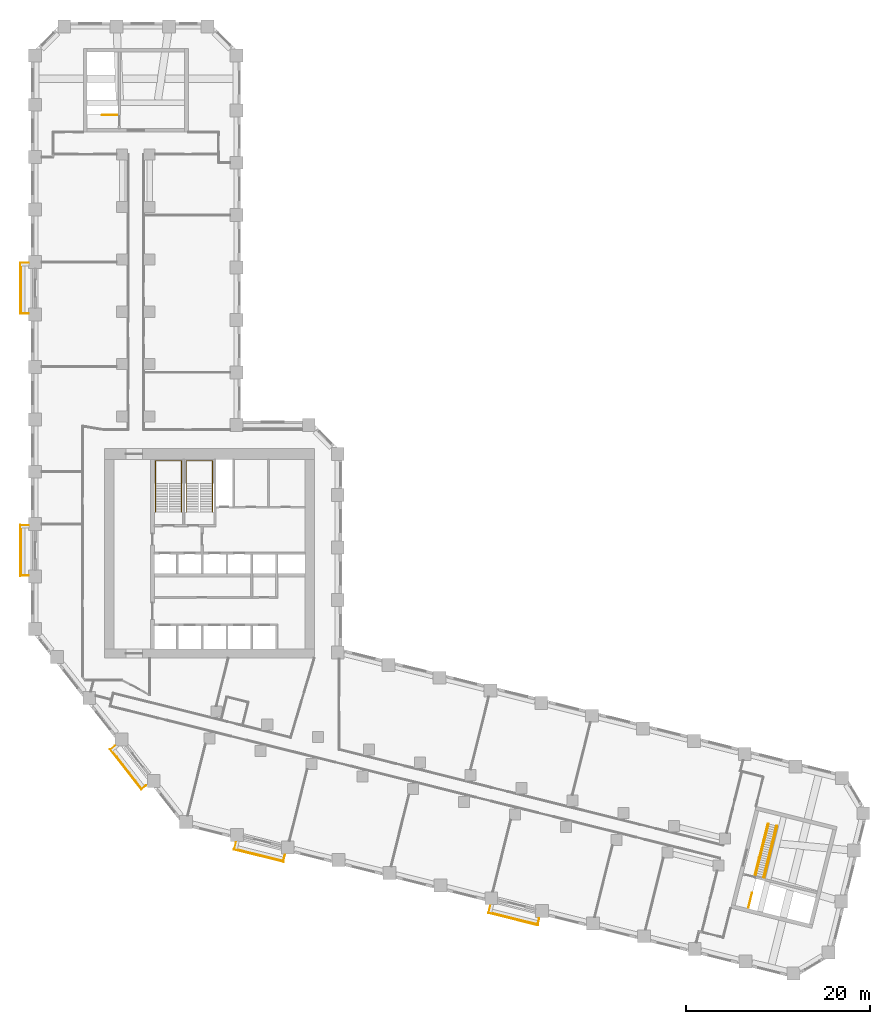
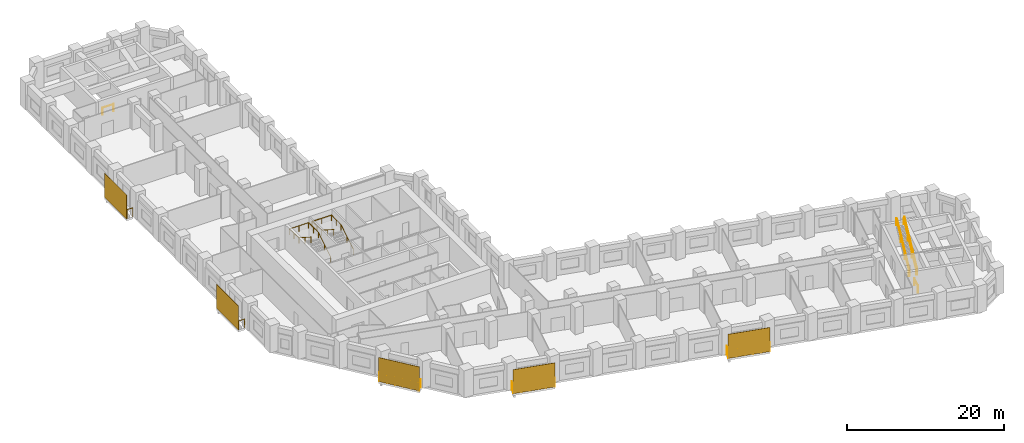
# One storey, part 12 of 12: 13 railings, 5 shading devices.
"""IFC4 building model written with IfcOpenShell, lengths in metres."""

import ifcopenshell
import ifcopenshell.guid

model = None  # the IFC model being written
_history = None  # IfcOwnerHistory: only IFC2X3 demands one
_inside = {}  # id of a spatial element -> (the spatial element, [elements in it])
_under = {}  # id of a project, library or spatial element -> (it, [spatial elements below it])
_declared = {}  # id of a project -> (the project, [libraries it declares])
_typed = {}  # id of a type object -> (the type object, [elements of that type])
_made_of = {}  # id of a material, layer set ... -> (it, [elements and type objects made of it])


def new_model(schema):
    """Start an empty IFC model of exactly this schema.

    Asked for "IFC4X3", IfcOpenShell would pick the latest addendum, in which some entities
    have other attributes; the version numbers below select the first issue.
    IFC2X3 requires an IfcOwnerHistory on every rooted entity: one is made here for all.
    """
    global model, _history
    if schema == "IFC4X3":
        model = ifcopenshell.file(schema_version=(4, 3, 0, 0))
    else:
        model = ifcopenshell.file(schema=schema)
    _inside.clear()
    _under.clear()
    _declared.clear()
    _typed.clear()
    _made_of.clear()
    _history = None
    if model.schema == "IFC2X3":
        org = make("IfcOrganization", Name="unknown")
        user = make(
            "IfcPersonAndOrganization",
            ThePerson=make("IfcPerson", FamilyName="unknown"),
            TheOrganization=org,
        )
        app = make(
            "IfcApplication",
            ApplicationDeveloper=org,
            Version="unknown",
            ApplicationFullName="unknown",
            ApplicationIdentifier="unknown",
        )
        _history = make(
            "IfcOwnerHistory",
            OwningUser=user,
            OwningApplication=app,
            ChangeAction="ADDED",
            CreationDate=0,
        )
    return model


def make(cls, **values):
    """One entity of the class cls with the attributes given. An attribute that is None is left unset."""
    return model.create_entity(
        cls, **{name: value for name, value in values.items() if value is not None}
    )


def rooted(cls, **values):
    """An entity with a GlobalId (a new one), such as an element, a storey or a relation."""
    return make(cls, GlobalId=ifcopenshell.guid.new(), OwnerHistory=_history, **values)


def si_unit(unit_type, name, prefix=None):
    """IfcSIUnit, for example si_unit("LENGTHUNIT", "METRE", prefix="MILLI")."""
    return make("IfcSIUnit", UnitType=unit_type, Prefix=prefix, Name=name)


def assignment(units):
    """IfcUnitAssignment: the units of a project."""
    return None if units is None else make("IfcUnitAssignment", Units=units)


def point(xyz):
    """IfcCartesianPoint."""
    return None if xyz is None else make("IfcCartesianPoint", Coordinates=xyz)


def direction(xyz):
    """IfcDirection."""
    return None if xyz is None else make("IfcDirection", DirectionRatios=xyz)


def frame(location, z_axis=None, x_axis=None):
    """IfcAxis2Placement3D, a coordinate frame: its origin and axes. An axis left out is left unset."""
    return make(
        "IfcAxis2Placement3D",
        Location=point(location),
        Axis=direction(z_axis),
        RefDirection=direction(x_axis),
    )


def frame_2d(location, x_axis=None):
    """IfcAxis2Placement2D, a coordinate frame in the plane: its origin and x axis."""
    return make(
        "IfcAxis2Placement2D", Location=point(location), RefDirection=direction(x_axis)
    )


def origin():
    """The frame at (0, 0, 0) with its axes left unset."""
    return frame((0.0, 0.0, 0.0))


def origin_2d():
    """The frame at (0, 0) in the plane with its x axis left unset."""
    return frame_2d((0.0, 0.0))


def place(relative_to, where):
    """IfcLocalPlacement: puts the frame where relative to a parent placement (None: the world)."""
    return make(
        "IfcLocalPlacement", PlacementRelTo=relative_to, RelativePlacement=where
    )


def context(
    kind, dimensions, precision=None, world=None, true_north=None, identifier=None
):
    """IfcGeometricRepresentationContext, for example the 3D "Model" context."""
    return make(
        "IfcGeometricRepresentationContext",
        ContextIdentifier=identifier,
        ContextType=kind,
        CoordinateSpaceDimension=dimensions,
        Precision=precision,
        WorldCoordinateSystem=world,
        TrueNorth=true_north,
    )


def subcontext(parent, identifier, kind, view, scale=None):
    """IfcGeometricRepresentationSubContext, for example "Body" below "Model"."""
    return make(
        "IfcGeometricRepresentationSubContext",
        ContextIdentifier=identifier,
        ContextType=kind,
        ParentContext=parent,
        TargetScale=scale,
        TargetView=view,
    )


def project(units=None, contexts=None):
    """IfcProject with its units and contexts."""
    return rooted(
        "IfcProject",
        Name="project",
        RepresentationContexts=contexts,
        UnitsInContext=assignment(units),
    )


def spatial(cls, under=None, at=None, **own):
    """A site, building, storey or space (cls), placed at a placement, below another one or the project."""
    s = rooted(cls, ObjectPlacement=at, **own)
    if under is not None:
        _under.setdefault(under.id(), (under, []))[1].append(s)
    return s


def profile(cls, at=None, kind="AREA", **sizes):
    """A parametric profile (cls). Its sizes go by their IFC names, for example OverallWidth=200.0."""
    return make(cls, ProfileType=kind, Position=at, **sizes)


def rectangle(**sizes):
    """IfcRectangleProfileDef."""
    return profile("IfcRectangleProfileDef", **sizes)


def circle(**sizes):
    """IfcCircleProfileDef."""
    return profile("IfcCircleProfileDef", **sizes)


def extrude(swept, where, along, depth):
    """IfcExtrudedAreaSolid: the profile swept, set in the frame where, extruded along a direction by depth."""
    return make(
        "IfcExtrudedAreaSolid",
        SweptArea=swept,
        Position=where,
        ExtrudedDirection=direction(along),
        Depth=depth,
    )


def shape(context_of_items, identifier, shape_type, items):
    """IfcShapeRepresentation: the items that make up one representation, for example the "Body"."""
    return make(
        "IfcShapeRepresentation",
        ContextOfItems=context_of_items,
        RepresentationIdentifier=identifier,
        RepresentationType=shape_type,
        Items=items,
    )


def material(Name=None, Category=None):
    """IfcMaterial."""
    return make("IfcMaterial", Name=Name, Category=Category)


def layer(
    of_material, thickness, ventilated=None, Name=None, Category=None, Priority=None
):
    """IfcMaterialLayer: one layer of a wall or slab, of a material (None: an air gap)."""
    return make(
        "IfcMaterialLayer",
        Material=of_material,
        LayerThickness=thickness,
        IsVentilated=ventilated,
        Name=Name,
        Category=Category,
        Priority=Priority,
    )


def layer_set(layers, Name=None):
    """IfcMaterialLayerSet."""
    return make("IfcMaterialLayerSet", MaterialLayers=layers, LayerSetName=Name)


def made_of(thing, what):
    """Note that an element or type object is made of a material, layer set ...; save() writes the relation."""
    if what is not None:
        _made_of.setdefault(what.id(), (what, []))[1].append(thing)
    return thing


def type_object(cls, material=None, **own):
    """A type object (cls), such as IfcWallType, which elements share."""
    return made_of(rooted(cls, **own), material)


def element(
    cls,
    number,
    at=None,
    inside=None,
    cuts=None,
    type_object=None,
    material=None,
    context=None,
    identifier="Body",
    shape_type=None,
    held_by="IfcProductDefinitionShape",
    body=None,
    shapes=None,
    **own,
):
    """One element of the class cls, such as IfcWall. Its Tag is "e" and its number.

    at: its placement. inside: the storey or other place that contains it. cuts: it is an
    opening in that element (IfcRelVoidsElement). A single representation is given by context,
    identifier, shape_type and body (its items); several are given by shapes. held_by: the class
    of the entity that holds the representations. save() writes the other relations.
    """
    e = rooted(cls, Tag="e%d" % number, ObjectPlacement=at, **own)
    if body is not None:
        shapes = [shape(context, identifier, shape_type, body)]
    if shapes is not None:
        e.Representation = make(held_by, Representations=shapes)
    if inside is not None:
        _inside.setdefault(inside.id(), (inside, []))[1].append(e)
    if cuts is not None:
        rooted(
            "IfcRelVoidsElement", RelatingBuildingElement=cuts, RelatedOpeningElement=e
        )
    if type_object is not None:
        _typed.setdefault(type_object.id(), (type_object, []))[1].append(e)
    return made_of(e, material)


def aggregate(whole, parts):
    """IfcRelAggregates: a whole, such as a stair, and the parts it consists of."""
    return rooted("IfcRelAggregates", RelatingObject=whole, RelatedObjects=parts)


def save(model, path):
    """Write the relations noted so far, then the file.

    IfcRelAggregates (storeys below a building ...), IfcRelContainedInSpatialStructure (elements
    in a storey), IfcRelDefinesByType, IfcRelAssociatesMaterial and IfcRelDeclares: one each for
    every whole, place, type object, material and project.
    """
    for whole, parts in _under.values():
        aggregate(whole, parts)
    for where, things in _inside.values():
        rooted(
            "IfcRelContainedInSpatialStructure",
            RelatedElements=things,
            RelatingStructure=where,
        )
    for kind, things in _typed.values():
        rooted("IfcRelDefinesByType", RelatedObjects=things, RelatingType=kind)
    for what, things in _made_of.values():
        rooted("IfcRelAssociatesMaterial", RelatedObjects=things, RelatingMaterial=what)
    for by, libraries in _declared.values():
        rooted("IfcRelDeclares", RelatingContext=by, RelatedDefinitions=libraries)
    model.write(path)


model = new_model("IFC4")

# Units and contexts
model_context = context("Model", 3, precision=1e-05, world=origin(), true_north=direction((0.0, 1.0)))
body_context = subcontext(model_context, "Body", "Model", "MODEL_VIEW")
ifc_project = project(units=[si_unit("LENGTHUNIT", "METRE"), si_unit("AREAUNIT", "SQUARE_METRE"), si_unit("VOLUMEUNIT", "CUBIC_METRE"), si_unit("PLANEANGLEUNIT", "RADIAN"), si_unit("MASSUNIT", "GRAM", prefix="KILO")], contexts=[model_context])

# Site, building, storey
site_placement = place(None, origin())
site = spatial("IfcSite", under=ifc_project, at=site_placement, CompositionType="ELEMENT")
building_placement = place(site_placement, origin())
building = spatial("IfcBuilding", under=site, at=building_placement, Name="Meshkara Civic Tower", CompositionType="ELEMENT")
storey_placement = place(building_placement, frame((0.0, 0.0, 87.60009765625)))
storey = spatial("IfcBuildingStorey", under=building, at=storey_placement, Name="L19", CompositionType="ELEMENT", Elevation=87.60009765625)

# Railings
ifc_material_1 = material(Name="Steel S355", Category="steel")
railing_type_1 = type_object("IfcRailingType", Name="BALUSTRADE GUARD 1400", PredefinedType="BALUSTRADE", material=ifc_material_1)
for number, where, name in (
    (1, (-0.25, 57.034912109375, 0.0), "Balcony guard"),
    (2, (-0.25, 28.534912109375, 0.0), "Balcony guard"),
):
    element("IfcRailing", number, at=place(storey_placement, frame(where)), inside=storey, type_object=railing_type_1, Name=name, PredefinedType="BALUSTRADE", context=body_context, shape_type="SweptSolid", body=[
        extrude(circle(Radius=0.02392578125, at=origin_2d()), frame((0.0, 0.0, 1.3759765625), z_axis=(-1.0, 0.0, 0.0), x_axis=(0.0, -1.0, 0.0)), (0.0, 0.0, 1.0), 0.860107421875),
        extrude(circle(Radius=0.02392578125, at=origin_2d()), frame((-0.860107421875, 0.0, 1.3759765625), z_axis=(0.0, -1.0, 0.0), x_axis=(1.0, 0.0, 0.0)), (0.0, 0.0, 1.0), 5.4599609375),
        extrude(circle(Radius=0.02392578125, at=origin_2d()), frame((-0.860107421875, -5.4599609375, 1.3759765625), z_axis=(1.0, 0.0, 0.0), x_axis=(0.0, 1.0, 0.0)), (0.0, 0.0, 1.0), 0.860107421875),
        extrude(circle(Radius=0.02099609375, at=origin_2d()), origin(), (0.0, 0.0, 1.0), 1.351806640625),
        extrude(circle(Radius=0.02099609375, at=origin_2d()), frame((-0.860107421875, 0.0, 0.0)), (0.0, 0.0, 1.0), 1.351806640625),
        extrude(circle(Radius=0.02099609375, at=origin_2d()), frame((-0.860107421875, -1.092041015625, 0.0)), (0.0, 0.0, 1.0), 1.351806640625),
        extrude(circle(Radius=0.02099609375, at=origin_2d()), frame((-0.860107421875, -2.18408203125, 0.0)), (0.0, 0.0, 1.0), 1.351806640625),
        extrude(circle(Radius=0.02099609375, at=origin_2d()), frame((-0.860107421875, -3.27587890625, 0.0)), (0.0, 0.0, 1.0), 1.351806640625),
        extrude(circle(Radius=0.02099609375, at=origin_2d()), frame((-0.860107421875, -4.367919921875, 0.0)), (0.0, 0.0, 1.0), 1.351806640625),
        extrude(circle(Radius=0.02099609375, at=origin_2d()), frame((-0.860107421875, -5.4599609375, 0.0)), (0.0, 0.0, 1.0), 1.351806640625),
        extrude(circle(Radius=0.02099609375, at=origin_2d()), frame((0.0, -5.4599609375, 0.0)), (0.0, 0.0, 1.0), 1.351806640625),
    ])
railing_1_placement = place(storey_placement, frame((9.133056640625, 4.5458984375, 0.0)))
element("IfcRailing", 3, at=railing_1_placement, inside=storey, type_object=railing_type_1, Name="Balcony guard", PredefinedType="BALUSTRADE", context=body_context, shape_type="SweptSolid", body=[
    extrude(circle(Radius=0.02392578125, at=origin_2d()), frame((0.0, 0.0, 1.3759765625), z_axis=(-0.787665480528, -0.616103149469, 0.0), x_axis=(0.616103149469, -0.787665480528, 0.0)), (0.0, 0.0, 1.0), 0.57763671875),
    extrude(circle(Radius=0.02392578125, at=origin_2d()), frame((-0.455078125, -0.35595703125, 1.3759765625), z_axis=(0.615660530481, -0.788011491799, 0.0), x_axis=(0.788011491799, 0.615660530481, 0.0)), (0.0, 0.0, 1.0), 5.459228515625),
    extrude(circle(Radius=0.02392578125, at=origin_2d()), frame((2.906005859375, -4.657958984375, 1.3759765625), z_axis=(0.787505001008, 0.616308261658, 0.0), x_axis=(-0.616308261658, 0.787505001008, 0.0)), (0.0, 0.0, 1.0), 0.57763671875),
    extrude(circle(Radius=0.02099609375, at=origin_2d()), origin(), (0.0, 0.0, 1.0), 1.351806640625),
    extrude(circle(Radius=0.02099609375, at=origin_2d()), frame((-0.455078125, -0.35595703125, 0.0)), (0.0, 0.0, 1.0), 1.351806640625),
    extrude(circle(Radius=0.02099609375, at=origin_2d()), frame((0.217041015625, -1.21630859375, 0.0)), (0.0, 0.0, 1.0), 1.351806640625),
    extrude(circle(Radius=0.02099609375, at=origin_2d()), frame((0.889404296875, -2.07666015625, 0.0)), (0.0, 0.0, 1.0), 1.351806640625),
    extrude(circle(Radius=0.02099609375, at=origin_2d()), frame((1.5615234375, -2.937255859375, 0.0)), (0.0, 0.0, 1.0), 1.351806640625),
    extrude(circle(Radius=0.02099609375, at=origin_2d()), frame((2.23388671875, -3.797607421875, 0.0)), (0.0, 0.0, 1.0), 1.351806640625),
    extrude(circle(Radius=0.02099609375, at=origin_2d()), frame((2.906005859375, -4.657958984375, 0.0)), (0.0, 0.0, 1.0), 1.351806640625),
    extrude(circle(Radius=0.02099609375, at=origin_2d()), frame((3.36083984375, -4.302001953125, 0.0)), (0.0, 0.0, 1.0), 1.351806640625),
])
railing_2_placement = place(storey_placement, frame((22.29296875, -5.968994140625, 0.0)))
element("IfcRailing", 4, at=railing_2_placement, inside=storey, type_object=railing_type_1, Name="Balcony guard", PredefinedType="BALUSTRADE", context=body_context, shape_type="SweptSolid", body=[
    extrude(circle(Radius=0.02392578125, at=origin_2d()), frame((0.0, 0.0, 1.3759765625), z_axis=(-0.241405887632, -0.970424235794, 0.0), x_axis=(0.970424235794, -0.241405887632, 0.0)), (0.0, 0.0, 1.0), 0.7119140625),
    extrude(circle(Radius=0.02392578125, at=origin_2d()), frame((-0.171875, -0.69091796875, 1.3759765625), z_axis=(0.970321130255, -0.241819983006, 0.0), x_axis=(0.241819983006, 0.970321130255, 0.0)), (0.0, 0.0, 1.0), 5.458984375),
    extrude(circle(Radius=0.02392578125, at=origin_2d()), frame((5.125, -2.010986328125, 1.3759765625), z_axis=(0.242050887106, 0.970263555974, 0.0), x_axis=(-0.970263555974, 0.242050887106, 0.0)), (0.0, 0.0, 1.0), 0.711181640625),
    extrude(circle(Radius=0.02099609375, at=origin_2d()), origin(), (0.0, 0.0, 1.0), 1.351806640625),
    extrude(circle(Radius=0.02099609375, at=origin_2d()), frame((-0.171875, -0.69091796875, 0.0)), (0.0, 0.0, 1.0), 1.351806640625),
    extrude(circle(Radius=0.02099609375, at=origin_2d()), frame((0.887451171875, -0.954833984375, 0.0)), (0.0, 0.0, 1.0), 1.351806640625),
    extrude(circle(Radius=0.02099609375, at=origin_2d()), frame((1.94677734375, -1.218994140625, 0.0)), (0.0, 0.0, 1.0), 1.351806640625),
    extrude(circle(Radius=0.02099609375, at=origin_2d()), frame((3.00634765625, -1.48291015625, 0.0)), (0.0, 0.0, 1.0), 1.351806640625),
    extrude(circle(Radius=0.02099609375, at=origin_2d()), frame((4.065673828125, -1.7470703125, 0.0)), (0.0, 0.0, 1.0), 1.351806640625),
    extrude(circle(Radius=0.02099609375, at=origin_2d()), frame((5.125, -2.010986328125, 0.0)), (0.0, 0.0, 1.0), 1.351806640625),
    extrude(circle(Radius=0.02099609375, at=origin_2d()), frame((5.297119140625, -1.321044921875, 0.0)), (0.0, 0.0, 1.0), 1.351806640625),
])
railing_3_placement = place(storey_placement, frame((49.946044921875, -12.864013671875, 0.0)))
element("IfcRailing", 5, at=railing_3_placement, inside=storey, type_object=railing_type_1, Name="Balcony guard", PredefinedType="BALUSTRADE", context=body_context, shape_type="SweptSolid", body=[
    extrude(circle(Radius=0.02392578125, at=origin_2d()), frame((0.0, 0.0, 1.3759765625), z_axis=(-0.242050887106, -0.970263555974, 0.0), x_axis=(0.970263555974, -0.242050887106, 0.0)), (0.0, 0.0, 1.0), 0.711181640625),
    extrude(circle(Radius=0.02392578125, at=origin_2d()), frame((-0.172119140625, -0.68994140625, 1.3759765625), z_axis=(0.970292231073, -0.24193591366, 0.0), x_axis=(0.24193591366, 0.970292231073, 0.0)), (0.0, 0.0, 1.0), 5.460205078125),
    extrude(circle(Radius=0.02392578125, at=origin_2d()), frame((5.1259765625, -2.010986328125, 1.3759765625), z_axis=(0.24172762774, 0.970344142038, 0.0), x_axis=(-0.970344142038, 0.24172762774, 0.0)), (0.0, 0.0, 1.0), 0.7109375),
    extrude(circle(Radius=0.02099609375, at=origin_2d()), origin(), (0.0, 0.0, 1.0), 1.351806640625),
    extrude(circle(Radius=0.02099609375, at=origin_2d()), frame((-0.172119140625, -0.68994140625, 0.0)), (0.0, 0.0, 1.0), 1.351806640625),
    extrude(circle(Radius=0.02099609375, at=origin_2d()), frame((0.887451171875, -0.9541015625, 0.0)), (0.0, 0.0, 1.0), 1.351806640625),
    extrude(circle(Radius=0.02099609375, at=origin_2d()), frame((1.947021484375, -1.21826171875, 0.0)), (0.0, 0.0, 1.0), 1.351806640625),
    extrude(circle(Radius=0.02099609375, at=origin_2d()), frame((3.0068359375, -1.482666015625, 0.0)), (0.0, 0.0, 1.0), 1.351806640625),
    extrude(circle(Radius=0.02099609375, at=origin_2d()), frame((4.06640625, -1.746826171875, 0.0)), (0.0, 0.0, 1.0), 1.351806640625),
    extrude(circle(Radius=0.02099609375, at=origin_2d()), frame((5.1259765625, -2.010986328125, 0.0)), (0.0, 0.0, 1.0), 1.351806640625),
    extrude(circle(Radius=0.02099609375, at=origin_2d()), frame((5.2978515625, -1.321044921875, 0.0)), (0.0, 0.0, 1.0), 1.351806640625),
])

# Shading devices
ifc_material_2 = material(Name="Perforated bronze anodised aluminium sheet", Category="aluminium")
ifc_layer = layer(ifc_material_2, 0.0400390625)
ifc_layer_set = layer_set([ifc_layer], Name="PERFORATED BRONZE SCREEN")
shading_device_type = type_object("IfcShadingDeviceType", Name="PERFORATED BRONZE SCREEN", PredefinedType="USERDEFINED", material=ifc_layer_set)
for number, where, z_axis, x_axis, name in (
    (6, (-1.179931640625, 54.304931640625, 0.0), (0.0, 0.0, 1.0), (0.0, -1.0, 0.0), "Balcony screen"),
    (7, (-1.179931640625, 25.804931640625, 0.0), (0.0, 0.0, 1.0), (0.0, -1.0, 0.0), "Balcony screen"),
):
    element("IfcShadingDevice", number, at=place(storey_placement, frame(where, z_axis=z_axis, x_axis=x_axis)), inside=storey, type_object=shading_device_type, Name=name, ObjectType="SCREEN", PredefinedType="USERDEFINED", context=body_context, shape_type="SweptSolid", body=[
        extrude(rectangle(XDim=5.580078125, YDim=0.0400390625, at=origin_2d()), origin(), (0.0, 0.0, 1.0), 3.75),
    ])
for number, where, z_axis, x_axis, name in (
    (8, (10.302978515625, 1.99609375, 0.0), (0.0, 0.0, 1.0), (0.615661475326, -0.788010753607, 0.0), "Balcony screen"),
    (9, (24.7529296875, -7.387939453125, 0.0), (0.0, 0.0, 1.0), (0.970295726276, -0.2419218956, 0.0), "Balcony screen"),
):
    element("IfcShadingDevice", number, at=place(storey_placement, frame(where, z_axis=z_axis, x_axis=x_axis)), inside=storey, type_object=shading_device_type, Name=name, ObjectType="SCREEN", PredefinedType="USERDEFINED", context=body_context, shape_type="SweptSolid", body=[
        extrude(rectangle(XDim=5.5791015625, YDim=0.0400390625, at=origin_2d()), origin(), (0.0, 0.0, 1.0), 3.75),
    ])
shading_device_placement = place(storey_placement, frame((52.406005859375, -14.281982421875, 0.0), z_axis=(0.0, 0.0, 1.0), x_axis=(0.970295726276, -0.2419218956, 0.0)))
element("IfcShadingDevice", 10, at=shading_device_placement, inside=storey, type_object=shading_device_type, Name="Balcony screen", ObjectType="SCREEN", PredefinedType="USERDEFINED", context=body_context, shape_type="SweptSolid", body=[
    extrude(rectangle(XDim=5.580078125, YDim=0.0400390625, at=origin_2d()), origin(), (0.0, 0.0, 1.0), 3.75),
])

# Railings
ifc_material_3 = material(Name="Steel guard", Category="steel")
railing_type_2 = type_object("IfcRailingType", Name="Stair guard 1100", PredefinedType="GUARDRAIL", material=ifc_material_3)
railing_4_placement = place(storey_placement, frame((9.375, 73.1201171875, 0.0)))
element("IfcRailing", 11, at=railing_4_placement, inside=storey, type_object=railing_type_2, Name="L19 ESA1 top well guard 1", PredefinedType="GUARDRAIL", context=body_context, shape_type="SweptSolid", body=[
    extrude(circle(Radius=0.02392578125, at=origin_2d()), frame((0.0, 0.0, 1.076171875), z_axis=(-1.0, 0.0, 0.0), x_axis=(0.0, -1.0, 0.0)), (0.0, 0.0, 1.0), 1.64990234375),
    extrude(circle(Radius=0.02099609375, at=origin_2d()), origin(), (0.0, 0.0, 1.0), 1.052001953125),
    extrude(circle(Radius=0.02099609375, at=origin_2d()), frame((-1.64990234375, 0.0, 0.0)), (0.0, 0.0, 1.0), 1.052001953125),
])
railing_5_placement = place(storey_placement, frame((77.984619140625, -13.028076171875, 0.0)))
element("IfcRailing", 12, at=railing_5_placement, inside=storey, type_object=railing_type_2, Name="L19 ESB1 top well guard 1", PredefinedType="GUARDRAIL", context=body_context, shape_type="SweptSolid", body=[
    extrude(circle(Radius=0.02392578125, at=origin_2d()), frame((0.0, 0.0, 1.076171875), z_axis=(0.242082976937, 0.970255549985, 0.0), x_axis=(-0.970255549985, 0.242082976937, 0.0)), (0.0, 0.0, 1.0), 1.64990234375),
    extrude(circle(Radius=0.02099609375, at=origin_2d()), origin(), (0.0, 0.0, 1.0), 1.052001953125),
    extrude(circle(Radius=0.02099609375, at=origin_2d()), frame((0.3994140625, 1.600830078125, 0.0)), (0.0, 0.0, 1.0), 1.052001953125),
])
railing_6_placement = place(storey_placement, frame((78.701904296875, -9.491943359375, 0.1748046875)))
element("IfcRailing", 13, at=railing_6_placement, inside=storey, type_object=railing_type_2, Name="L19 ESBT stair guard 3", PredefinedType="GUARDRAIL", context=body_context, shape_type="SweptSolid", body=[
    extrude(circle(Radius=0.02392578125, at=origin_2d()), frame((0.0, 0.0, 1.076171875), z_axis=(0.198182085776, 0.794919545526, 0.573434195891), x_axis=(-0.970299627736, 0.24190624716, 0.0)), (0.0, 0.0, 1.0), 7.019287109375),
    extrude(circle(Radius=0.02099609375, at=origin_2d()), origin(), (0.0, 0.0, 1.0), 1.052001953125),
    extrude(circle(Radius=0.02099609375, at=origin_2d()), frame((0.463623046875, 1.85986328125, 1.341796875)), (0.0, 0.0, 1.0), 1.052001953125),
    extrude(circle(Radius=0.02099609375, at=origin_2d()), frame((0.927490234375, 3.719970703125, 2.683349609375)), (0.0, 0.0, 1.0), 1.052001953125),
    extrude(circle(Radius=0.02099609375, at=origin_2d()), frame((1.39111328125, 5.579833984375, 4.025146484375)), (0.0, 0.0, 1.0), 1.052001953125),
])
railing_7_placement = place(storey_placement, frame((79.72998046875, -9.748046875, 0.1748046875)))
element("IfcRailing", 14, at=railing_7_placement, inside=storey, type_object=railing_type_2, Name="L19 ESBT stair guard 4", PredefinedType="GUARDRAIL", context=body_context, shape_type="SweptSolid", body=[
    extrude(circle(Radius=0.02392578125, at=origin_2d()), frame((0.0, 0.0, 1.076171875), z_axis=(0.19819852481, 0.794881131795, 0.573481761767), x_axis=(-0.970292173201, 0.24193614576, 0.0)), (0.0, 0.0, 1.0), 7.018798828125),
    extrude(circle(Radius=0.02099609375, at=origin_2d()), origin(), (0.0, 0.0, 1.0), 1.052001953125),
    extrude(circle(Radius=0.02099609375, at=origin_2d()), frame((0.463623046875, 1.859619140625, 1.341796875)), (0.0, 0.0, 1.0), 1.052001953125),
    extrude(circle(Radius=0.02099609375, at=origin_2d()), frame((0.927490234375, 3.719482421875, 2.683349609375)), (0.0, 0.0, 1.0), 1.052001953125),
    extrude(circle(Radius=0.02099609375, at=origin_2d()), frame((1.39111328125, 5.5791015625, 4.025146484375)), (0.0, 0.0, 1.0), 1.052001953125),
])
ifc_material_4 = material(Name="Steel handrail", Category="steel")
railing_type_3 = type_object("IfcRailingType", Name="Stair handrail 900", PredefinedType="HANDRAIL", material=ifc_material_4)
railing_8_placement = place(storey_placement, frame((16.375, 30.0, 0.1748046875)))
element("IfcRailing", 15, at=railing_8_placement, inside=storey, type_object=railing_type_3, Name="L19 ST1 stair handrail 1", PredefinedType="HANDRAIL", context=body_context, shape_type="SweptSolid", body=[
    extrude(circle(Radius=0.02392578125, at=origin_2d()), frame((0.0, 0.0, 0.8759765625), z_axis=(0.0, 0.847998304005, 0.529998940003), x_axis=(-1.0, 0.0, 0.0)), (0.0, 0.0, 1.0), 3.632080078125),
    extrude(circle(Radius=0.02392578125, at=origin_2d()), frame((0.0, 3.080078125, 2.80078125), z_axis=(0.0, 1.0, 0.0), x_axis=(-1.0, 0.0, 0.0)), (0.0, 0.0, 1.0), 2.469970703125),
    extrude(circle(Radius=0.02392578125, at=origin_2d()), frame((0.0, 5.550048828125, 2.80078125), z_axis=(-1.0, 0.0, 0.0), x_axis=(0.0, -1.0, 0.0)), (0.0, 0.0, 1.0), 2.85009765625),
    extrude(circle(Radius=0.02392578125, at=origin_2d()), frame((-2.85009765625, 5.550048828125, 2.80078125), z_axis=(0.0, -0.997498084828, 0.070693498747), x_axis=(1.0, 0.0, 0.0)), (0.0, 0.0, 1.0), 2.47607421875),
    extrude(circle(Radius=0.02392578125, at=origin_2d()), frame((-2.85009765625, 3.080078125, 2.97607421875), z_axis=(0.0, -0.847998304005, 0.529998940003), x_axis=(1.0, 0.0, 0.0)), (0.0, 0.0, 1.0), 3.632080078125),
    extrude(circle(Radius=0.02099609375, at=origin_2d()), origin(), (0.0, 0.0, 1.0), 0.851806640625),
    extrude(circle(Radius=0.02099609375, at=origin_2d()), frame((0.0, 1.5400390625, 0.96240234375)), (0.0, 0.0, 1.0), 0.851806640625),
    extrude(circle(Radius=0.02099609375, at=origin_2d()), frame((0.0, 3.080078125, 1.925048828125)), (0.0, 0.0, 1.0), 0.851806640625),
    extrude(circle(Radius=0.02099609375, at=origin_2d()), frame((0.0, 4.31494140625, 1.925048828125)), (0.0, 0.0, 1.0), 0.851806640625),
    extrude(circle(Radius=0.02099609375, at=origin_2d()), frame((0.0, 5.550048828125, 1.925048828125)), (0.0, 0.0, 1.0), 0.851806640625),
    extrude(circle(Radius=0.02099609375, at=origin_2d()), frame((-1.425048828125, 5.550048828125, 1.925048828125)), (0.0, 0.0, 1.0), 0.851806640625),
    extrude(circle(Radius=0.02099609375, at=origin_2d()), frame((-2.85009765625, 5.550048828125, 1.925048828125)), (0.0, 0.0, 1.0), 0.851806640625),
    extrude(circle(Radius=0.02099609375, at=origin_2d()), frame((-2.85009765625, 4.31494140625, 2.0126953125)), (0.0, 0.0, 1.0), 0.851806640625),
    extrude(circle(Radius=0.02099609375, at=origin_2d()), frame((-2.85009765625, 3.080078125, 2.10009765625)), (0.0, 0.0, 1.0), 0.851806640625),
    extrude(circle(Radius=0.02099609375, at=origin_2d()), frame((-2.85009765625, 1.5400390625, 3.0625)), (0.0, 0.0, 1.0), 0.851806640625),
    extrude(circle(Radius=0.02099609375, at=origin_2d()), frame((-2.85009765625, 0.0, 4.025146484375)), (0.0, 0.0, 1.0), 0.851806640625),
])
railing_9_placement = place(storey_placement, frame((19.72509765625, 30.0, 0.1748046875)))
element("IfcRailing", 16, at=railing_9_placement, inside=storey, type_object=railing_type_3, Name="L19 ST2 stair handrail 1", PredefinedType="HANDRAIL", context=body_context, shape_type="SweptSolid", body=[
    extrude(circle(Radius=0.02392578125, at=origin_2d()), frame((0.0, 0.0, 0.8759765625), z_axis=(0.0, 0.847998304005, 0.529998940003), x_axis=(-1.0, 0.0, 0.0)), (0.0, 0.0, 1.0), 3.632080078125),
    extrude(circle(Radius=0.02392578125, at=origin_2d()), frame((0.0, 3.080078125, 2.80078125), z_axis=(0.0, 1.0, 0.0), x_axis=(-1.0, 0.0, 0.0)), (0.0, 0.0, 1.0), 2.469970703125),
    extrude(circle(Radius=0.02392578125, at=origin_2d()), frame((0.0, 5.550048828125, 2.80078125), z_axis=(-1.0, 0.0, 0.0), x_axis=(0.0, -1.0, 0.0)), (0.0, 0.0, 1.0), 2.85009765625),
    extrude(circle(Radius=0.02392578125, at=origin_2d()), frame((-2.85009765625, 5.550048828125, 2.80078125), z_axis=(0.0, -0.997498084828, 0.070693498747), x_axis=(1.0, 0.0, 0.0)), (0.0, 0.0, 1.0), 2.47607421875),
    extrude(circle(Radius=0.02392578125, at=origin_2d()), frame((-2.85009765625, 3.080078125, 2.97607421875), z_axis=(0.0, -0.847998304005, 0.529998940003), x_axis=(1.0, 0.0, 0.0)), (0.0, 0.0, 1.0), 3.632080078125),
    extrude(circle(Radius=0.02099609375, at=origin_2d()), origin(), (0.0, 0.0, 1.0), 0.851806640625),
    extrude(circle(Radius=0.02099609375, at=origin_2d()), frame((0.0, 1.5400390625, 0.96240234375)), (0.0, 0.0, 1.0), 0.851806640625),
    extrude(circle(Radius=0.02099609375, at=origin_2d()), frame((0.0, 3.080078125, 1.925048828125)), (0.0, 0.0, 1.0), 0.851806640625),
    extrude(circle(Radius=0.02099609375, at=origin_2d()), frame((0.0, 4.31494140625, 1.925048828125)), (0.0, 0.0, 1.0), 0.851806640625),
    extrude(circle(Radius=0.02099609375, at=origin_2d()), frame((0.0, 5.550048828125, 1.925048828125)), (0.0, 0.0, 1.0), 0.851806640625),
    extrude(circle(Radius=0.02099609375, at=origin_2d()), frame((-1.425048828125, 5.550048828125, 1.925048828125)), (0.0, 0.0, 1.0), 0.851806640625),
    extrude(circle(Radius=0.02099609375, at=origin_2d()), frame((-2.85009765625, 5.550048828125, 1.925048828125)), (0.0, 0.0, 1.0), 0.851806640625),
    extrude(circle(Radius=0.02099609375, at=origin_2d()), frame((-2.85009765625, 4.31494140625, 2.0126953125)), (0.0, 0.0, 1.0), 0.851806640625),
    extrude(circle(Radius=0.02099609375, at=origin_2d()), frame((-2.85009765625, 3.080078125, 2.10009765625)), (0.0, 0.0, 1.0), 0.851806640625),
    extrude(circle(Radius=0.02099609375, at=origin_2d()), frame((-2.85009765625, 1.5400390625, 3.0625)), (0.0, 0.0, 1.0), 0.851806640625),
    extrude(circle(Radius=0.02099609375, at=origin_2d()), frame((-2.85009765625, 0.0, 4.025146484375)), (0.0, 0.0, 1.0), 0.851806640625),
])
railing_10_placement = place(storey_placement, frame((78.7939453125, -9.514892578125, 0.1748046875)))
element("IfcRailing", 17, at=railing_10_placement, inside=storey, type_object=railing_type_3, Name="L19 ESBT stair handrail 1", PredefinedType="HANDRAIL", context=body_context, shape_type="SweptSolid", body=[
    extrude(circle(Radius=0.02392578125, at=origin_2d()), frame((0.0, 0.0, 0.8759765625), z_axis=(0.198182085776, 0.794919545526, 0.573434195891), x_axis=(-0.970299627736, 0.24190624716, 0.0)), (0.0, 0.0, 1.0), 7.019287109375),
    extrude(circle(Radius=0.02099609375, at=origin_2d()), origin(), (0.0, 0.0, 1.0), 0.851806640625),
    extrude(circle(Radius=0.02099609375, at=origin_2d()), frame((0.463623046875, 1.85986328125, 1.341796875)), (0.0, 0.0, 1.0), 0.851806640625),
    extrude(circle(Radius=0.02099609375, at=origin_2d()), frame((0.927490234375, 3.719970703125, 2.683349609375)), (0.0, 0.0, 1.0), 0.851806640625),
    extrude(circle(Radius=0.02099609375, at=origin_2d()), frame((1.39111328125, 5.579833984375, 4.025146484375)), (0.0, 0.0, 1.0), 0.851806640625),
])
railing_11_placement = place(storey_placement, frame((79.637939453125, -9.72509765625, 0.1748046875)))
element("IfcRailing", 18, at=railing_11_placement, inside=storey, type_object=railing_type_3, Name="L19 ESBT stair handrail 2", PredefinedType="HANDRAIL", context=body_context, shape_type="SweptSolid", body=[
    extrude(circle(Radius=0.02392578125, at=origin_2d()), frame((0.0, 0.0, 0.8759765625), z_axis=(0.19819852481, 0.794881131795, 0.573481761767), x_axis=(-0.970292173201, 0.24193614576, 0.0)), (0.0, 0.0, 1.0), 7.018798828125),
    extrude(circle(Radius=0.02099609375, at=origin_2d()), origin(), (0.0, 0.0, 1.0), 0.851806640625),
    extrude(circle(Radius=0.02099609375, at=origin_2d()), frame((0.463623046875, 1.859619140625, 1.341796875)), (0.0, 0.0, 1.0), 0.851806640625),
    extrude(circle(Radius=0.02099609375, at=origin_2d()), frame((0.927490234375, 3.719482421875, 2.683349609375)), (0.0, 0.0, 1.0), 0.851806640625),
    extrude(circle(Radius=0.02099609375, at=origin_2d()), frame((1.39111328125, 5.5791015625, 4.025146484375)), (0.0, 0.0, 1.0), 0.851806640625),
])

save(model, "model.ifc")
